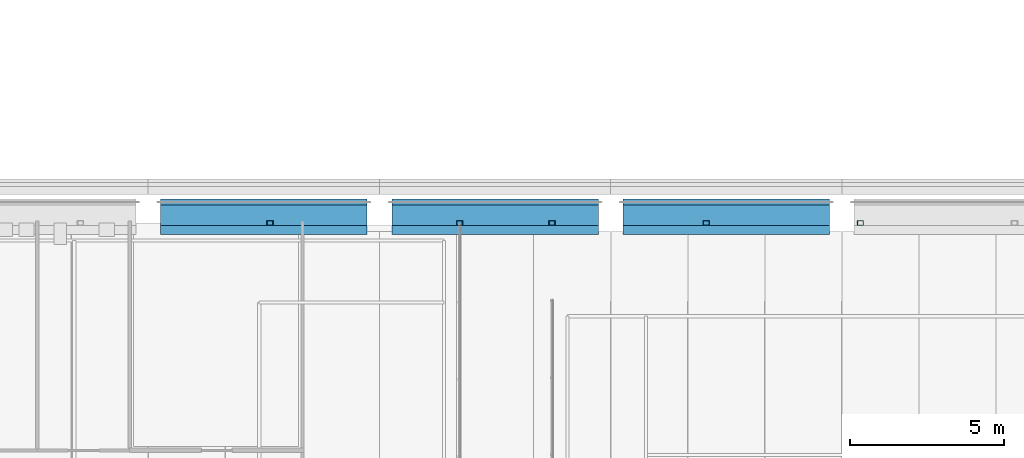
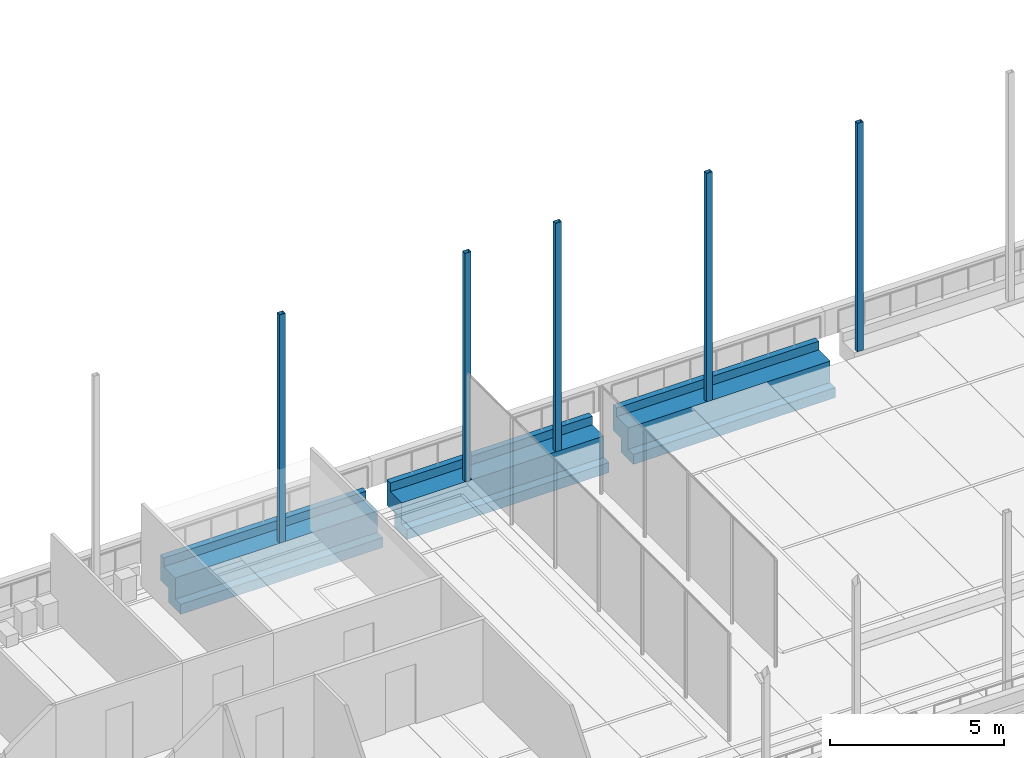
# One storey, part 9 of 62: 5 members, 3 beams.
"""IFC4 building model written with IfcOpenShell, lengths in metres."""

from ifc_helpers import new_model, si_unit, direction, frame, origin, origin_2d, place, context, subcontext, project, spatial, polyline, hollow_rectangle, outline, extrude, material, material_profile, profile_set, type_object, element, save


model = new_model("IFC4")

# Units and contexts
model_context = context("Model", 3, precision=1e-05, world=origin(), true_north=direction((0.0, 1.0)))
body_context = subcontext(model_context, "Body", "Model", "MODEL_VIEW")
ifc_project = project(units=[si_unit("LENGTHUNIT", "METRE"), si_unit("AREAUNIT", "SQUARE_METRE"), si_unit("VOLUMEUNIT", "CUBIC_METRE"), si_unit("PLANEANGLEUNIT", "RADIAN"), si_unit("MASSUNIT", "GRAM", prefix="KILO")], contexts=[model_context])

# Site, building, storey
site_placement = place(None, origin())
site = spatial("IfcSite", under=ifc_project, at=site_placement, CompositionType="ELEMENT")
building_placement = place(site_placement, origin())
building = spatial("IfcBuilding", under=site, at=building_placement, Name="Cour d'Honneur Mobility Palace", CompositionType="ELEMENT")
storey_placement = place(building_placement, frame((0.0, 0.0, 19.300048828125)))
storey = spatial("IfcBuildingStorey", under=building, at=storey_placement, Name="L05", CompositionType="ELEMENT", Elevation=19.300048828125)

# Beams
ifc_material_1 = material(Name="Concrete C45", Category="concrete")
ifc_material_profile_1 = material_profile(ifc_material_1, outline(polyline([(0.199951171875, -1.10009765625), (0.199951171875, -0.60009765625), (0.64990234375, -0.60009765625), (0.64990234375, 0.300048828125), (0.449951171875, 0.300048828125), (0.449951171875, 0.0), (0.199951171875, 0.0), (-0.199951171875, 0.0), (-0.199951171875, -0.75), (-0.5, -0.75), (-0.5, -1.10009765625), (0.199951171875, -1.10009765625)])), Name="Ledger Beam 400x1100 ledge right 350 facade left")
ifc_profile_set_1 = profile_set([ifc_material_profile_1], Name="Concrete C45")
beam_type = type_object("IfcBeamType", Name="Ledger Beam 400x1100 ledge right 350 facade left", PredefinedType="BEAM", material=ifc_profile_set_1)
for number, where, z_axis, x_axis, name in (
    (1, (32.800048828125, 62.39990234375, 0.0), (1.0, 0.0, 0.0), (0.0, 1.0, 0.0), "Precast beam B4 4-5 L05"),
    (2, (40.300048828125, 62.39990234375, 0.0), (1.0, 0.0, 0.0), (0.0, 1.0, 0.0), "Precast beam B4 5-6 L05"),
    (3, (47.800048828125, 62.39990234375, 0.0), (1.0, 0.0, 0.0), (0.0, 1.0, 0.0), "Precast beam B4 6-7 L05"),
):
    element("IfcBeam", number, at=place(storey_placement, frame(where, z_axis=z_axis, x_axis=x_axis)), inside=storey, type_object=beam_type, Name=name, PredefinedType="BEAM", context=body_context, shape_type="SweptSolid", body=[
        extrude(outline(polyline([(0.199951171875, -1.10009765625), (0.199951171875, -0.60009765625), (0.64990234375, -0.60009765625), (0.64990234375, 0.300048828125), (0.449951171875, 0.300048828125), (0.449951171875, 0.0), (0.199951171875, 0.0), (-0.199951171875, 0.0), (-0.199951171875, -0.75), (-0.5, -0.75), (-0.5, -1.10009765625), (0.199951171875, -1.10009765625)])), origin(), (0.0, 0.0, 1.0), 6.699951171875),
    ])

# Members
ifc_material_2 = material(Name="Steel S355", Category="steel")
ifc_material_profile_2 = material_profile(ifc_material_2, hollow_rectangle(XDim=0.14990234375, YDim=0.199951171875, WallThickness=0.008056640625, at=origin_2d()), Name="RHS 200x150x8")
ifc_profile_set_2 = profile_set([ifc_material_profile_2], Name="Steel S355")
member_type = type_object("IfcMemberType", Name="Pergola post RHS 200x150x8", PredefinedType="POST", material=ifc_profile_set_2)
for number, where, z_axis, x_axis, name in (
    (4, (36.35009765625, 62.27490234375, 0.0), (0.0, 0.0, 1.0), (0.0, 1.0, 0.0), "Pergola post FW-N4"),
    (5, (42.5, 62.27490234375, 0.0), (0.0, 0.0, 1.0), (0.0, 1.0, 0.0), "Pergola post FW-N5"),
    (6, (45.5, 62.27490234375, 0.0), (0.0, 0.0, 1.0), (0.0, 1.0, 0.0), "Pergola post PW-N1"),
    (7, (50.5, 62.27490234375, 0.0), (0.0, 0.0, 1.0), (0.0, 1.0, 0.0), "Pergola post PW-N2"),
    (8, (55.5, 62.27490234375, 0.0), (0.0, 0.0, 1.0), (0.0, 1.0, 0.0), "Pergola post PW-N3"),
):
    element("IfcMember", number, at=place(storey_placement, frame(where, z_axis=z_axis, x_axis=x_axis)), inside=storey, type_object=member_type, Name=name, PredefinedType="POST", context=body_context, shape_type="SweptSolid", body=[
        extrude(hollow_rectangle(XDim=0.14990234375, YDim=0.199951171875, WallThickness=0.008056640625, at=origin_2d()), origin(), (0.0, 0.0, 1.0), 8.0),
    ])

save(model, "model.ifc")
